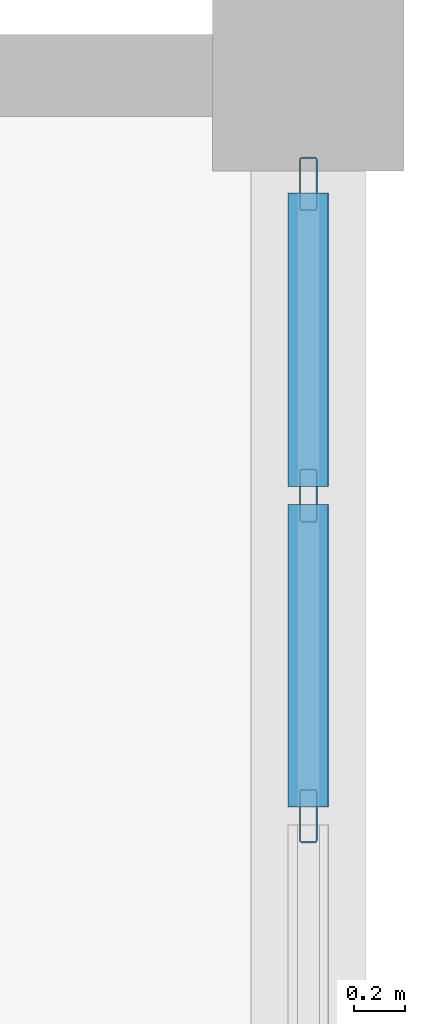
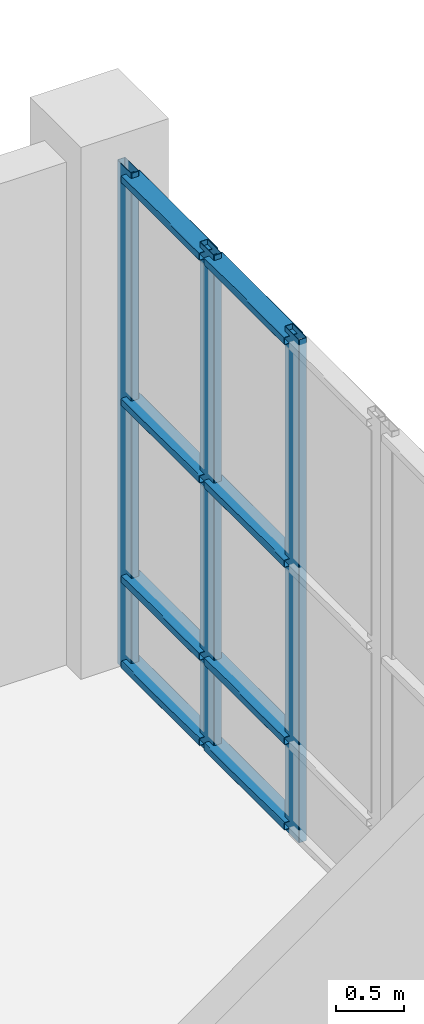
# One storey, part 53 of 106: 11 members, 1 element without a shape of its own.
"""IFC4 building model written with IfcOpenShell, lengths in metres."""

import ifcopenshell
import ifcopenshell.guid

model = None  # the IFC model being written
_history = None  # IfcOwnerHistory: only IFC2X3 demands one
_inside = {}  # id of a spatial element -> (the spatial element, [elements in it])
_under = {}  # id of a project, library or spatial element -> (it, [spatial elements below it])
_declared = {}  # id of a project -> (the project, [libraries it declares])
_typed = {}  # id of a type object -> (the type object, [elements of that type])
_made_of = {}  # id of a material, layer set ... -> (it, [elements and type objects made of it])


def new_model(schema):
    """Start an empty IFC model of exactly this schema.

    Asked for "IFC4X3", IfcOpenShell would pick the latest addendum, in which some entities
    have other attributes; the version numbers below select the first issue.
    IFC2X3 requires an IfcOwnerHistory on every rooted entity: one is made here for all.
    """
    global model, _history
    if schema == "IFC4X3":
        model = ifcopenshell.file(schema_version=(4, 3, 0, 0))
    else:
        model = ifcopenshell.file(schema=schema)
    _inside.clear()
    _under.clear()
    _declared.clear()
    _typed.clear()
    _made_of.clear()
    _history = None
    if model.schema == "IFC2X3":
        org = make("IfcOrganization", Name="unknown")
        user = make(
            "IfcPersonAndOrganization",
            ThePerson=make("IfcPerson", FamilyName="unknown"),
            TheOrganization=org,
        )
        app = make(
            "IfcApplication",
            ApplicationDeveloper=org,
            Version="unknown",
            ApplicationFullName="unknown",
            ApplicationIdentifier="unknown",
        )
        _history = make(
            "IfcOwnerHistory",
            OwningUser=user,
            OwningApplication=app,
            ChangeAction="ADDED",
            CreationDate=0,
        )
    return model


def make(cls, **values):
    """One entity of the class cls with the attributes given. An attribute that is None is left unset."""
    return model.create_entity(
        cls, **{name: value for name, value in values.items() if value is not None}
    )


def rooted(cls, **values):
    """An entity with a GlobalId (a new one), such as an element, a storey or a relation."""
    return make(cls, GlobalId=ifcopenshell.guid.new(), OwnerHistory=_history, **values)


def si_unit(unit_type, name, prefix=None):
    """IfcSIUnit, for example si_unit("LENGTHUNIT", "METRE", prefix="MILLI")."""
    return make("IfcSIUnit", UnitType=unit_type, Prefix=prefix, Name=name)


def assignment(units):
    """IfcUnitAssignment: the units of a project."""
    return None if units is None else make("IfcUnitAssignment", Units=units)


def point(xyz):
    """IfcCartesianPoint."""
    return None if xyz is None else make("IfcCartesianPoint", Coordinates=xyz)


def direction(xyz):
    """IfcDirection."""
    return None if xyz is None else make("IfcDirection", DirectionRatios=xyz)


def frame(location, z_axis=None, x_axis=None):
    """IfcAxis2Placement3D, a coordinate frame: its origin and axes. An axis left out is left unset."""
    return make(
        "IfcAxis2Placement3D",
        Location=point(location),
        Axis=direction(z_axis),
        RefDirection=direction(x_axis),
    )


def frame_2d(location, x_axis=None):
    """IfcAxis2Placement2D, a coordinate frame in the plane: its origin and x axis."""
    return make(
        "IfcAxis2Placement2D", Location=point(location), RefDirection=direction(x_axis)
    )


def origin():
    """The frame at (0, 0, 0) with its axes left unset."""
    return frame((0.0, 0.0, 0.0))


def origin_2d():
    """The frame at (0, 0) in the plane with its x axis left unset."""
    return frame_2d((0.0, 0.0))


def place(relative_to, where):
    """IfcLocalPlacement: puts the frame where relative to a parent placement (None: the world)."""
    return make(
        "IfcLocalPlacement", PlacementRelTo=relative_to, RelativePlacement=where
    )


def context(
    kind, dimensions, precision=None, world=None, true_north=None, identifier=None
):
    """IfcGeometricRepresentationContext, for example the 3D "Model" context."""
    return make(
        "IfcGeometricRepresentationContext",
        ContextIdentifier=identifier,
        ContextType=kind,
        CoordinateSpaceDimension=dimensions,
        Precision=precision,
        WorldCoordinateSystem=world,
        TrueNorth=true_north,
    )


def subcontext(parent, identifier, kind, view, scale=None):
    """IfcGeometricRepresentationSubContext, for example "Body" below "Model"."""
    return make(
        "IfcGeometricRepresentationSubContext",
        ContextIdentifier=identifier,
        ContextType=kind,
        ParentContext=parent,
        TargetScale=scale,
        TargetView=view,
    )


def project(units=None, contexts=None):
    """IfcProject with its units and contexts."""
    return rooted(
        "IfcProject",
        Name="project",
        RepresentationContexts=contexts,
        UnitsInContext=assignment(units),
    )


def spatial(cls, under=None, at=None, **own):
    """A site, building, storey or space (cls), placed at a placement, below another one or the project."""
    s = rooted(cls, ObjectPlacement=at, **own)
    if under is not None:
        _under.setdefault(under.id(), (under, []))[1].append(s)
    return s


def profile(cls, at=None, kind="AREA", **sizes):
    """A parametric profile (cls). Its sizes go by their IFC names, for example OverallWidth=200.0."""
    return make(cls, ProfileType=kind, Position=at, **sizes)


def hollow_rectangle(**sizes):
    """IfcRectangleHollowProfileDef."""
    return profile("IfcRectangleHollowProfileDef", **sizes)


def extrude(swept, where, along, depth):
    """IfcExtrudedAreaSolid: the profile swept, set in the frame where, extruded along a direction by depth."""
    return make(
        "IfcExtrudedAreaSolid",
        SweptArea=swept,
        Position=where,
        ExtrudedDirection=direction(along),
        Depth=depth,
    )


def shape(context_of_items, identifier, shape_type, items):
    """IfcShapeRepresentation: the items that make up one representation, for example the "Body"."""
    return make(
        "IfcShapeRepresentation",
        ContextOfItems=context_of_items,
        RepresentationIdentifier=identifier,
        RepresentationType=shape_type,
        Items=items,
    )


def material(Name=None, Category=None):
    """IfcMaterial."""
    return make("IfcMaterial", Name=Name, Category=Category)


def layer(
    of_material, thickness, ventilated=None, Name=None, Category=None, Priority=None
):
    """IfcMaterialLayer: one layer of a wall or slab, of a material (None: an air gap)."""
    return make(
        "IfcMaterialLayer",
        Material=of_material,
        LayerThickness=thickness,
        IsVentilated=ventilated,
        Name=Name,
        Category=Category,
        Priority=Priority,
    )


def layer_set(layers, Name=None):
    """IfcMaterialLayerSet."""
    return make("IfcMaterialLayerSet", MaterialLayers=layers, LayerSetName=Name)


def material_profile(
    of_material, cross_section, Name=None, Category=None, Priority=None
):
    """IfcMaterialProfile: a cross section and its material."""
    return make(
        "IfcMaterialProfile",
        Name=Name,
        Material=of_material,
        Profile=cross_section,
        Priority=Priority,
        Category=Category,
    )


def profile_set(profiles, Name=None, composite=None):
    """IfcMaterialProfileSet."""
    return make(
        "IfcMaterialProfileSet",
        Name=Name,
        MaterialProfiles=profiles,
        CompositeProfile=composite,
    )


def made_of(thing, what):
    """Note that an element or type object is made of a material, layer set ...; save() writes the relation."""
    if what is not None:
        _made_of.setdefault(what.id(), (what, []))[1].append(thing)
    return thing


def type_object(cls, material=None, **own):
    """A type object (cls), such as IfcWallType, which elements share."""
    return made_of(rooted(cls, **own), material)


def element(
    cls,
    number,
    at=None,
    inside=None,
    cuts=None,
    type_object=None,
    material=None,
    context=None,
    identifier="Body",
    shape_type=None,
    held_by="IfcProductDefinitionShape",
    body=None,
    shapes=None,
    **own,
):
    """One element of the class cls, such as IfcWall. Its Tag is "e" and its number.

    at: its placement. inside: the storey or other place that contains it. cuts: it is an
    opening in that element (IfcRelVoidsElement). A single representation is given by context,
    identifier, shape_type and body (its items); several are given by shapes. held_by: the class
    of the entity that holds the representations. save() writes the other relations.
    """
    e = rooted(cls, Tag="e%d" % number, ObjectPlacement=at, **own)
    if body is not None:
        shapes = [shape(context, identifier, shape_type, body)]
    if shapes is not None:
        e.Representation = make(held_by, Representations=shapes)
    if inside is not None:
        _inside.setdefault(inside.id(), (inside, []))[1].append(e)
    if cuts is not None:
        rooted(
            "IfcRelVoidsElement", RelatingBuildingElement=cuts, RelatedOpeningElement=e
        )
    if type_object is not None:
        _typed.setdefault(type_object.id(), (type_object, []))[1].append(e)
    return made_of(e, material)


def aggregate(whole, parts):
    """IfcRelAggregates: a whole, such as a stair, and the parts it consists of."""
    return rooted("IfcRelAggregates", RelatingObject=whole, RelatedObjects=parts)


def save(model, path):
    """Write the relations noted so far, then the file.

    IfcRelAggregates (storeys below a building ...), IfcRelContainedInSpatialStructure (elements
    in a storey), IfcRelDefinesByType, IfcRelAssociatesMaterial and IfcRelDeclares: one each for
    every whole, place, type object, material and project.
    """
    for whole, parts in _under.values():
        aggregate(whole, parts)
    for where, things in _inside.values():
        rooted(
            "IfcRelContainedInSpatialStructure",
            RelatedElements=things,
            RelatingStructure=where,
        )
    for kind, things in _typed.values():
        rooted("IfcRelDefinesByType", RelatedObjects=things, RelatingType=kind)
    for what, things in _made_of.values():
        rooted("IfcRelAssociatesMaterial", RelatedObjects=things, RelatingMaterial=what)
    for by, libraries in _declared.values():
        rooted("IfcRelDeclares", RelatingContext=by, RelatedDefinitions=libraries)
    model.write(path)


model = new_model("IFC4")

# Units and contexts
model_context = context("Model", 3, precision=1e-05, world=origin(), true_north=direction((0.0, 1.0)))
body_context = subcontext(model_context, "Body", "Model", "MODEL_VIEW")
ifc_project = project(units=[si_unit("LENGTHUNIT", "METRE"), si_unit("AREAUNIT", "SQUARE_METRE"), si_unit("VOLUMEUNIT", "CUBIC_METRE"), si_unit("PLANEANGLEUNIT", "RADIAN"), si_unit("MASSUNIT", "GRAM", prefix="KILO")], contexts=[model_context])

# Site, building, storey
site_placement = place(None, origin())
site = spatial("IfcSite", under=ifc_project, at=site_placement, CompositionType="ELEMENT")
building_placement = place(site_placement, origin())
building = spatial("IfcBuilding", under=site, at=building_placement, Name="Kisaragi Civic Commons", CompositionType="ELEMENT")
storey_placement = place(building_placement, frame((0.0, 0.0, 4.800048828125)))
storey = spatial("IfcBuildingStorey", under=building, at=storey_placement, Name="L01", CompositionType="ELEMENT", Elevation=4.800048828125)

# Curtain wall, members
ifc_material = material(Name="Thermally broken anodized aluminium and low-E double glazing", Category="aluminium")
ifc_layer = layer(ifc_material, 0.2099609375, Name="Thermally broken anodized aluminium and low-E double glazing", Category="aluminium")
ifc_layer_set = layer_set([ifc_layer], Name="Thermally broken anodized aluminium and low-E double glazing")
curtain_wall_type = type_object("IfcCurtainWallType", Name="CW-02", PredefinedType="NOTDEFINED", material=ifc_layer_set)
curtain_wall_placement = place(storey_placement, origin())
curtain_wall = element("IfcCurtainWall", 1, at=curtain_wall_placement, inside=storey, type_object=curtain_wall_type, Name="L01 curtain wall CW-02 CW-V3-L01-023", PredefinedType="NOTDEFINED")
ifc_material_profile_1 = material_profile(ifc_material, hollow_rectangle(XDim=0.070068359375, YDim=0.2099609375, WallThickness=0.0048828125, InnerFilletRadius=0.0048828125, OuterFilletRadius=0.010009765625, at=origin_2d()), Name="CWM-70x210x5", Category="aluminium")
ifc_profile_set_1 = profile_set([ifc_material_profile_1], Name="Thermally broken anodized aluminium and low-E double glazing")
member_type_1 = type_object("IfcMemberType", Name="CWM-03", PredefinedType="MULLION", material=ifc_profile_set_1)
member_1_placement = place(storey_placement, frame((172.800048828125, 24.77490234375, 0.0), z_axis=(0.0, 0.0, 1.0), x_axis=(1.0, 0.0, 0.0)))
member_1 = element("IfcMember", 2, at=member_1_placement, type_object=member_type_1, Name="CW-02 mullion 1", PredefinedType="MULLION", context=body_context, shape_type="SweptSolid", body=[
    extrude(hollow_rectangle(XDim=0.070068359375, YDim=0.2099609375, WallThickness=0.0048828125, InnerFilletRadius=0.0048828125, OuterFilletRadius=0.010009765625, at=origin_2d()), origin(), (0.0, 0.0, 1.0), 4.5400390625),
])
member_2_placement = place(storey_placement, frame((172.800048828125, 23.55322265625, 0.0), z_axis=(0.0, 0.0, 1.0), x_axis=(1.0, 0.0, 0.0)))
member_2 = element("IfcMember", 3, at=member_2_placement, type_object=member_type_1, Name="CW-02 mullion 2", PredefinedType="MULLION", context=body_context, shape_type="SweptSolid", body=[
    extrude(hollow_rectangle(XDim=0.070068359375, YDim=0.2099609375, WallThickness=0.0048828125, InnerFilletRadius=0.0048828125, OuterFilletRadius=0.010009765625, at=origin_2d()), origin(), (0.0, 0.0, 1.0), 4.5400390625),
])
member_3_placement = place(storey_placement, frame((172.800048828125, 22.296630859375, 0.0), z_axis=(0.0, 0.0, 1.0), x_axis=(1.0, 0.0, 0.0)))
member_3 = element("IfcMember", 4, at=member_3_placement, type_object=member_type_1, Name="CW-02 mullion 3", PredefinedType="MULLION", context=body_context, shape_type="SweptSolid", body=[
    extrude(hollow_rectangle(XDim=0.070068359375, YDim=0.2099609375, WallThickness=0.0048828125, InnerFilletRadius=0.0048828125, OuterFilletRadius=0.010009765625, at=origin_2d()), origin(), (0.0, 0.0, 1.0), 4.5400390625),
])
ifc_material_profile_2 = material_profile(ifc_material, hollow_rectangle(XDim=0.159912109375, YDim=0.070068359375, WallThickness=0.0048828125, InnerFilletRadius=0.0048828125, OuterFilletRadius=0.010009765625, at=origin_2d()), Name="CWT-70x160x5", Category="aluminium")
ifc_profile_set_2 = profile_set([ifc_material_profile_2], Name="Thermally broken anodized aluminium and low-E double glazing")
member_type_2 = type_object("IfcMemberType", Name="CWT-03", PredefinedType="USERDEFINED", material=ifc_profile_set_2)
member_4_placement = place(storey_placement, frame((172.800048828125, 24.739990234375, 0.079833984375), z_axis=(0.0, -1.0, 0.0), x_axis=(1.0, 0.0, 0.0)))
member_4 = element("IfcMember", 5, at=member_4_placement, type_object=member_type_2, Name="CW-02 transom 1.1", ObjectType="TRANSOM", PredefinedType="USERDEFINED", context=body_context, shape_type="SweptSolid", body=[
    extrude(hollow_rectangle(XDim=0.159912109375, YDim=0.070068359375, WallThickness=0.0048828125, InnerFilletRadius=0.0048828125, OuterFilletRadius=0.010009765625, at=origin_2d()), origin(), (0.0, 0.0, 1.0), 1.151611328125),
])
member_5_placement = place(storey_placement, frame((172.800048828125, 24.739990234375, 0.849853515625), z_axis=(0.0, -1.0, 0.0), x_axis=(1.0, 0.0, 0.0)))
member_5 = element("IfcMember", 6, at=member_5_placement, type_object=member_type_2, Name="CW-02 transom 1.2", ObjectType="TRANSOM", PredefinedType="USERDEFINED", context=body_context, shape_type="SweptSolid", body=[
    extrude(hollow_rectangle(XDim=0.159912109375, YDim=0.070068359375, WallThickness=0.0048828125, InnerFilletRadius=0.0048828125, OuterFilletRadius=0.010009765625, at=origin_2d()), origin(), (0.0, 0.0, 1.0), 1.151611328125),
])
member_6_placement = place(storey_placement, frame((172.800048828125, 24.739990234375, 2.449951171875), z_axis=(0.0, -1.0, 0.0), x_axis=(1.0, 0.0, 0.0)))
member_6 = element("IfcMember", 7, at=member_6_placement, type_object=member_type_2, Name="CW-02 transom 1.3", ObjectType="TRANSOM", PredefinedType="USERDEFINED", context=body_context, shape_type="SweptSolid", body=[
    extrude(hollow_rectangle(XDim=0.159912109375, YDim=0.070068359375, WallThickness=0.0048828125, InnerFilletRadius=0.0048828125, OuterFilletRadius=0.010009765625, at=origin_2d()), origin(), (0.0, 0.0, 1.0), 1.151611328125),
])
member_7_placement = place(storey_placement, frame((172.800048828125, 24.739990234375, 4.4599609375), z_axis=(0.0, -1.0, 0.0), x_axis=(1.0, 0.0, 0.0)))
member_7 = element("IfcMember", 8, at=member_7_placement, type_object=member_type_2, Name="CW-02 transom 1.4", ObjectType="TRANSOM", PredefinedType="USERDEFINED", context=body_context, shape_type="SweptSolid", body=[
    extrude(hollow_rectangle(XDim=0.159912109375, YDim=0.070068359375, WallThickness=0.0048828125, InnerFilletRadius=0.0048828125, OuterFilletRadius=0.010009765625, at=origin_2d()), origin(), (0.0, 0.0, 1.0), 1.151611328125),
])
member_8_placement = place(storey_placement, frame((172.800048828125, 23.518310546875, 0.079833984375), z_axis=(0.0, -1.0, 0.0), x_axis=(1.0, 0.0, 0.0)))
member_8 = element("IfcMember", 9, at=member_8_placement, type_object=member_type_2, Name="CW-02 transom 2.1", ObjectType="TRANSOM", PredefinedType="USERDEFINED", context=body_context, shape_type="SweptSolid", body=[
    extrude(hollow_rectangle(XDim=0.159912109375, YDim=0.070068359375, WallThickness=0.0048828125, InnerFilletRadius=0.0048828125, OuterFilletRadius=0.010009765625, at=origin_2d()), origin(), (0.0, 0.0, 1.0), 1.1865234375),
])
member_9_placement = place(storey_placement, frame((172.800048828125, 23.518310546875, 0.849853515625), z_axis=(0.0, -1.0, 0.0), x_axis=(1.0, 0.0, 0.0)))
member_9 = element("IfcMember", 10, at=member_9_placement, type_object=member_type_2, Name="CW-02 transom 2.2", ObjectType="TRANSOM", PredefinedType="USERDEFINED", context=body_context, shape_type="SweptSolid", body=[
    extrude(hollow_rectangle(XDim=0.159912109375, YDim=0.070068359375, WallThickness=0.0048828125, InnerFilletRadius=0.0048828125, OuterFilletRadius=0.010009765625, at=origin_2d()), origin(), (0.0, 0.0, 1.0), 1.1865234375),
])
member_10_placement = place(storey_placement, frame((172.800048828125, 23.518310546875, 2.449951171875), z_axis=(0.0, -1.0, 0.0), x_axis=(1.0, 0.0, 0.0)))
member_10 = element("IfcMember", 11, at=member_10_placement, type_object=member_type_2, Name="CW-02 transom 2.3", ObjectType="TRANSOM", PredefinedType="USERDEFINED", context=body_context, shape_type="SweptSolid", body=[
    extrude(hollow_rectangle(XDim=0.159912109375, YDim=0.070068359375, WallThickness=0.0048828125, InnerFilletRadius=0.0048828125, OuterFilletRadius=0.010009765625, at=origin_2d()), origin(), (0.0, 0.0, 1.0), 1.1865234375),
])
member_11_placement = place(storey_placement, frame((172.800048828125, 23.518310546875, 4.4599609375), z_axis=(0.0, -1.0, 0.0), x_axis=(1.0, 0.0, 0.0)))
member_11 = element("IfcMember", 12, at=member_11_placement, type_object=member_type_2, Name="CW-02 transom 2.4", ObjectType="TRANSOM", PredefinedType="USERDEFINED", context=body_context, shape_type="SweptSolid", body=[
    extrude(hollow_rectangle(XDim=0.159912109375, YDim=0.070068359375, WallThickness=0.0048828125, InnerFilletRadius=0.0048828125, OuterFilletRadius=0.010009765625, at=origin_2d()), origin(), (0.0, 0.0, 1.0), 1.1865234375),
])
aggregate(curtain_wall, [member_1, member_2, member_3, member_4, member_5, member_6, member_7, member_8, member_9, member_10, member_11])

save(model, "model.ifc")
